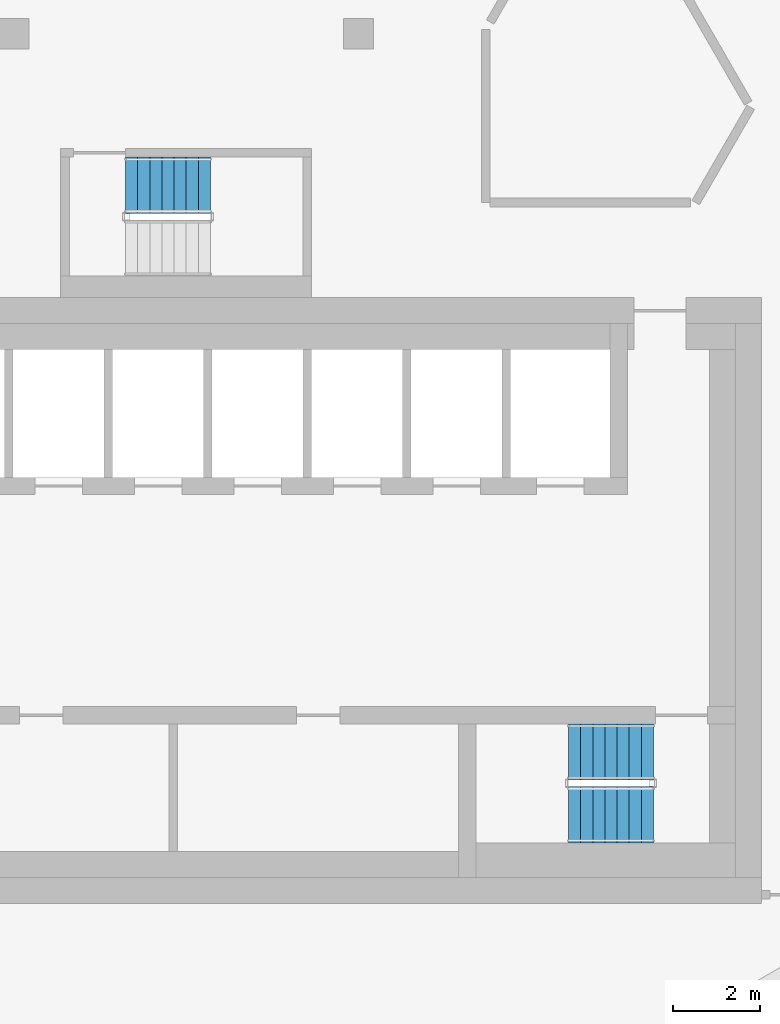
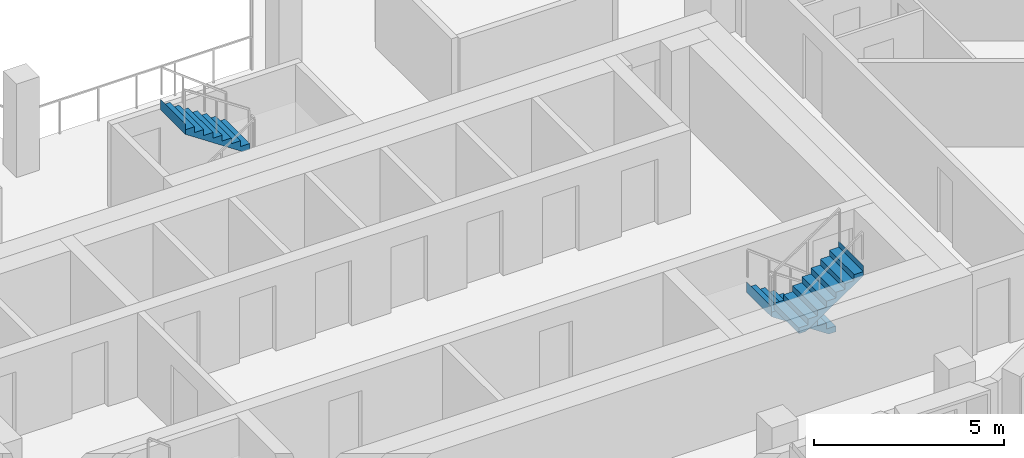
# One storey, part 13 of 18: 3 stair flights, 2 elements without a shape of their own.
"""IFC4 building model written with IfcOpenShell, lengths in metres."""

from ifc_helpers import new_model, si_unit, direction, frame, origin, place, context, subcontext, project, spatial, triangles, material, type_object, element, aggregate, save


model = new_model("IFC4")

# Units and contexts
model_context = context("Model", 3, precision=1e-05, world=origin(), true_north=direction((0.0, 1.0)))
body_context = subcontext(model_context, "Body", "Model", "MODEL_VIEW")
ifc_project = project(units=[si_unit("LENGTHUNIT", "METRE"), si_unit("AREAUNIT", "SQUARE_METRE"), si_unit("VOLUMEUNIT", "CUBIC_METRE"), si_unit("PLANEANGLEUNIT", "RADIAN"), si_unit("MASSUNIT", "GRAM", prefix="KILO")], contexts=[model_context])

# Site, building, storey
site_placement = place(None, origin())
site = spatial("IfcSite", under=ifc_project, at=site_placement, CompositionType="ELEMENT")
building_placement = place(site_placement, origin())
building = spatial("IfcBuilding", under=site, at=building_placement, Name="Beryl Residences", CompositionType="ELEMENT")
storey_placement = place(building_placement, frame((0.0, 0.0, 184.199951171875)))
storey = spatial("IfcBuildingStorey", under=building, at=storey_placement, Name="L56", CompositionType="ELEMENT", Elevation=184.199951171875)

# Stair, stair flights
ifc_material_1 = material(Name="Concrete C40/50", Category="concrete")
stair_type = type_object("IfcStairType", Name="ST1 protected exit stair, half-turn, 1300 mm flights", PredefinedType="HALF_TURN_STAIR", material=ifc_material_1)
stair_1_placement = place(storey_placement, origin())
stair_1 = element("IfcStair", 1, at=stair_1_placement, inside=storey, type_object=stair_type, Name="L56 PROTECTED EXIT STAIR ST-3", PredefinedType="HALF_TURN_STAIR")
ifc_material_2 = material(Name="Concrete C40/50", Category="concrete")
stair_flight_type = type_object("IfcStairFlightType", Name="SF1 stair flight 1300 mm", PredefinedType="STRAIGHT", material=ifc_material_2)
stair_flight_1_placement = place(storey_placement, frame((10.800048828125, -15.5, 0.0), z_axis=(0.0, 0.0, 1.0), x_axis=(-1.0, 0.0, 0.0)))
stair_flight_1 = element("IfcStairFlight", 2, at=stair_flight_1_placement, type_object=stair_flight_type, Name="ST-3 flight 1", NumberOfRisers=8, NumberOfTreads=7, PredefinedType="STRAIGHT", RiserHeight=0.1875, TreadLength=0.28, context=body_context, shape_type="Tessellation", body=[
    triangles([(0.0, -0.64990234375, 0.0), (0.0, -0.324951171875, 0.0), (0.0, 0.0, 0.0), (0.0, 0.324951171875, 0.0), (0.0, 0.64990234375, 0.0), (0.0, -0.64990234375, 0.1875), (0.0, -0.324951171875, 0.1875), (0.0, 0.0, 0.1875), (0.0, 0.324951171875, 0.1875), (0.0, 0.64990234375, 0.1875), (0.280029296875, -0.64990234375, 0.1875), (0.280029296875, -0.324951171875, 0.1875), (0.280029296875, 0.0, 0.1875), (0.280029296875, 0.324951171875, 0.1875), (0.280029296875, 0.64990234375, 0.1875), (0.280029296875, -0.64990234375, 0.375), (0.280029296875, -0.324951171875, 0.375), (0.280029296875, 0.0, 0.375), (0.280029296875, 0.324951171875, 0.375), (0.280029296875, 0.64990234375, 0.375), (0.56005859375, -0.64990234375, 0.375), (0.56005859375, -0.324951171875, 0.375), (0.56005859375, 0.0, 0.375), (0.56005859375, 0.324951171875, 0.375), (0.56005859375, 0.64990234375, 0.375), (0.56005859375, -0.64990234375, 0.5625), (0.56005859375, -0.324951171875, 0.5625), (0.56005859375, 0.0, 0.5625), (0.56005859375, 0.324951171875, 0.5625), (0.56005859375, 0.64990234375, 0.5625), (0.840087890625, -0.64990234375, 0.5625), (0.840087890625, -0.324951171875, 0.5625), (0.840087890625, 0.0, 0.5625), (0.840087890625, 0.324951171875, 0.5625), (0.840087890625, 0.64990234375, 0.5625), (0.840087890625, -0.64990234375, 0.75), (0.840087890625, -0.324951171875, 0.75), (0.840087890625, 0.0, 0.75), (0.840087890625, 0.324951171875, 0.75), (0.840087890625, 0.64990234375, 0.75), (1.1201171875, -0.64990234375, 0.75), (1.1201171875, -0.324951171875, 0.75), (1.1201171875, 0.0, 0.75), (1.1201171875, 0.324951171875, 0.75), (1.1201171875, 0.64990234375, 0.75), (1.1201171875, -0.64990234375, 0.9375), (1.1201171875, -0.324951171875, 0.9375), (1.1201171875, 0.0, 0.9375), (1.1201171875, 0.324951171875, 0.9375), (1.1201171875, 0.64990234375, 0.9375), (1.39990234375, -0.64990234375, 0.9375), (1.39990234375, -0.324951171875, 0.9375), (1.39990234375, 0.0, 0.9375), (1.39990234375, 0.324951171875, 0.9375), (1.39990234375, 0.64990234375, 0.9375), (1.39990234375, -0.64990234375, 1.125), (1.39990234375, -0.324951171875, 1.125), (1.39990234375, 0.0, 1.125), (1.39990234375, 0.324951171875, 1.125), (1.39990234375, 0.64990234375, 1.125), (1.679931640625, -0.64990234375, 1.125), (1.679931640625, -0.324951171875, 1.125), (1.679931640625, 0.0, 1.125), (1.679931640625, 0.324951171875, 1.125), (1.679931640625, 0.64990234375, 1.125), (1.679931640625, -0.64990234375, 1.3125), (1.679931640625, -0.324951171875, 1.3125), (1.679931640625, 0.0, 1.3125), (1.679931640625, 0.324951171875, 1.3125), (1.679931640625, 0.64990234375, 1.3125), (1.9599609375, -0.64990234375, 1.3125), (1.9599609375, -0.324951171875, 1.3125), (1.9599609375, 0.0, 1.3125), (1.9599609375, 0.324951171875, 1.3125), (1.9599609375, 0.64990234375, 1.3125), (1.9599609375, -0.64990234375, 1.5), (1.9599609375, -0.324951171875, 1.5), (1.9599609375, 0.0, 1.5), (1.9599609375, 0.324951171875, 1.5), (1.9599609375, 0.64990234375, 1.5), (1.9609375, -0.64990234375, 1.5), (1.9609375, -0.324951171875, 1.5), (1.9609375, 0.0, 1.5), (1.9609375, 0.324951171875, 1.5), (1.9609375, 0.64990234375, 1.5), (1.9609375, -0.64990234375, 1.16796875), (1.9609375, -0.324951171875, 1.16796875), (1.9609375, 0.0, 1.16796875), (1.9609375, 0.324951171875, 1.16796875), (1.9609375, 0.64990234375, 1.16796875), (0.216796875, -0.64990234375, 0.0), (0.216796875, -0.324951171875, 0.0), (0.216796875, 0.0, 0.0), (0.216796875, 0.324951171875, 0.0), (0.216796875, 0.64990234375, 0.0)], [[1, 6, 7], [1, 7, 2], [2, 7, 8], [2, 8, 3], [3, 8, 9], [3, 9, 4], [4, 9, 10], [4, 10, 5], [6, 11, 12], [6, 12, 7], [7, 12, 13], [7, 13, 8], [8, 13, 14], [8, 14, 9], [9, 14, 15], [9, 15, 10], [11, 16, 17], [11, 17, 12], [12, 17, 18], [12, 18, 13], [13, 18, 19], [13, 19, 14], [14, 19, 20], [14, 20, 15], [16, 21, 22], [16, 22, 17], [17, 22, 23], [17, 23, 18], [18, 23, 24], [18, 24, 19], [19, 24, 25], [19, 25, 20], [21, 26, 27], [21, 27, 22], [22, 27, 28], [22, 28, 23], [23, 28, 29], [23, 29, 24], [24, 29, 30], [24, 30, 25], [26, 31, 32], [26, 32, 27], [27, 32, 33], [27, 33, 28], [28, 33, 34], [28, 34, 29], [29, 34, 35], [29, 35, 30], [31, 36, 37], [31, 37, 32], [32, 37, 38], [32, 38, 33], [33, 38, 39], [33, 39, 34], [34, 39, 40], [34, 40, 35], [36, 41, 42], [36, 42, 37], [37, 42, 43], [37, 43, 38], [38, 43, 44], [38, 44, 39], [39, 44, 45], [39, 45, 40], [41, 46, 47], [41, 47, 42], [42, 47, 48], [42, 48, 43], [43, 48, 49], [43, 49, 44], [44, 49, 50], [44, 50, 45], [46, 51, 52], [46, 52, 47], [47, 52, 53], [47, 53, 48], [48, 53, 54], [48, 54, 49], [49, 54, 55], [49, 55, 50], [51, 56, 57], [51, 57, 52], [52, 57, 58], [52, 58, 53], [53, 58, 59], [53, 59, 54], [54, 59, 60], [54, 60, 55], [56, 61, 62], [56, 62, 57], [57, 62, 63], [57, 63, 58], [58, 63, 64], [58, 64, 59], [59, 64, 65], [59, 65, 60], [61, 66, 67], [61, 67, 62], [62, 67, 68], [62, 68, 63], [63, 68, 69], [63, 69, 64], [64, 69, 70], [64, 70, 65], [66, 71, 72], [66, 72, 67], [67, 72, 73], [67, 73, 68], [68, 73, 74], [68, 74, 69], [69, 74, 75], [69, 75, 70], [71, 76, 77], [71, 77, 72], [72, 77, 78], [72, 78, 73], [73, 78, 79], [73, 79, 74], [74, 79, 80], [74, 80, 75], [76, 81, 82], [76, 82, 77], [77, 82, 83], [77, 83, 78], [78, 83, 84], [78, 84, 79], [79, 84, 85], [79, 85, 80], [81, 86, 87], [81, 87, 82], [82, 87, 88], [82, 88, 83], [83, 88, 89], [83, 89, 84], [84, 89, 90], [84, 90, 85], [86, 91, 92], [86, 92, 87], [87, 92, 93], [87, 93, 88], [88, 93, 94], [88, 94, 89], [89, 94, 95], [89, 95, 90], [91, 1, 2], [91, 2, 92], [92, 2, 3], [92, 3, 93], [93, 3, 4], [93, 4, 94], [94, 4, 5], [94, 5, 95], [1, 91, 86], [5, 90, 95], [86, 81, 76], [90, 80, 85], [86, 76, 71], [90, 75, 80], [86, 71, 66], [90, 70, 75], [86, 66, 61], [90, 65, 70], [61, 56, 51], [65, 55, 60], [86, 61, 51], [90, 55, 65], [51, 46, 41], [55, 45, 50], [86, 51, 41], [90, 45, 55], [41, 36, 31], [45, 35, 40], [86, 41, 31], [90, 35, 45], [31, 26, 21], [35, 25, 30], [86, 31, 21], [90, 25, 35], [21, 16, 11], [25, 15, 20], [86, 21, 11], [90, 15, 25], [1, 86, 11], [5, 15, 90], [11, 6, 1], [15, 5, 10]], closed=True),
])
stair_flight_2_placement = place(storey_placement, frame((8.840087890625, -16.949951171875, 1.5), z_axis=(0.0, 0.0, 1.0), x_axis=(1.0, 0.0, 0.0)))
stair_flight_2 = element("IfcStairFlight", 3, at=stair_flight_2_placement, type_object=stair_flight_type, Name="ST-3 flight 2", NumberOfRisers=8, NumberOfTreads=7, PredefinedType="STRAIGHT", RiserHeight=0.1875, TreadLength=0.28, context=body_context, shape_type="Tessellation", body=[
    triangles([(0.0, -0.64990234375, 0.0), (0.0, -0.324951171875, 0.0), (0.0, 0.0, 0.0), (0.0, 0.324951171875, 0.0), (0.0, 0.64990234375, 0.0), (0.0, -0.64990234375, 0.1875), (0.0, -0.324951171875, 0.1875), (0.0, 0.0, 0.1875), (0.0, 0.324951171875, 0.1875), (0.0, 0.64990234375, 0.1875), (0.280029296875, -0.64990234375, 0.1875), (0.280029296875, -0.324951171875, 0.1875), (0.280029296875, 0.0, 0.1875), (0.280029296875, 0.324951171875, 0.1875), (0.280029296875, 0.64990234375, 0.1875), (0.280029296875, -0.64990234375, 0.375), (0.280029296875, -0.324951171875, 0.375), (0.280029296875, 0.0, 0.375), (0.280029296875, 0.324951171875, 0.375), (0.280029296875, 0.64990234375, 0.375), (0.56005859375, -0.64990234375, 0.375), (0.56005859375, -0.324951171875, 0.375), (0.56005859375, 0.0, 0.375), (0.56005859375, 0.324951171875, 0.375), (0.56005859375, 0.64990234375, 0.375), (0.56005859375, -0.64990234375, 0.5625), (0.56005859375, -0.324951171875, 0.5625), (0.56005859375, 0.0, 0.5625), (0.56005859375, 0.324951171875, 0.5625), (0.56005859375, 0.64990234375, 0.5625), (0.840087890625, -0.64990234375, 0.5625), (0.840087890625, -0.324951171875, 0.5625), (0.840087890625, 0.0, 0.5625), (0.840087890625, 0.324951171875, 0.5625), (0.840087890625, 0.64990234375, 0.5625), (0.840087890625, -0.64990234375, 0.75), (0.840087890625, -0.324951171875, 0.75), (0.840087890625, 0.0, 0.75), (0.840087890625, 0.324951171875, 0.75), (0.840087890625, 0.64990234375, 0.75), (1.1201171875, -0.64990234375, 0.75), (1.1201171875, -0.324951171875, 0.75), (1.1201171875, 0.0, 0.75), (1.1201171875, 0.324951171875, 0.75), (1.1201171875, 0.64990234375, 0.75), (1.1201171875, -0.64990234375, 0.9375), (1.1201171875, -0.324951171875, 0.9375), (1.1201171875, 0.0, 0.9375), (1.1201171875, 0.324951171875, 0.9375), (1.1201171875, 0.64990234375, 0.9375), (1.39990234375, -0.64990234375, 0.9375), (1.39990234375, -0.324951171875, 0.9375), (1.39990234375, 0.0, 0.9375), (1.39990234375, 0.324951171875, 0.9375), (1.39990234375, 0.64990234375, 0.9375), (1.39990234375, -0.64990234375, 1.125), (1.39990234375, -0.324951171875, 1.125), (1.39990234375, 0.0, 1.125), (1.39990234375, 0.324951171875, 1.125), (1.39990234375, 0.64990234375, 1.125), (1.679931640625, -0.64990234375, 1.125), (1.679931640625, -0.324951171875, 1.125), (1.679931640625, 0.0, 1.125), (1.679931640625, 0.324951171875, 1.125), (1.679931640625, 0.64990234375, 1.125), (1.679931640625, -0.64990234375, 1.3125), (1.679931640625, -0.324951171875, 1.3125), (1.679931640625, 0.0, 1.3125), (1.679931640625, 0.324951171875, 1.3125), (1.679931640625, 0.64990234375, 1.3125), (1.9599609375, -0.64990234375, 1.3125), (1.9599609375, -0.324951171875, 1.3125), (1.9599609375, 0.0, 1.3125), (1.9599609375, 0.324951171875, 1.3125), (1.9599609375, 0.64990234375, 1.3125), (1.9599609375, -0.64990234375, 1.5), (1.9599609375, -0.324951171875, 1.5), (1.9599609375, 0.0, 1.5), (1.9599609375, 0.324951171875, 1.5), (1.9599609375, 0.64990234375, 1.5), (1.9609375, -0.64990234375, 1.5), (1.9609375, -0.324951171875, 1.5), (1.9609375, 0.0, 1.5), (1.9609375, 0.324951171875, 1.5), (1.9609375, 0.64990234375, 1.5), (1.9609375, -0.64990234375, 1.16796875), (1.9609375, -0.324951171875, 1.16796875), (1.9609375, 0.0, 1.16796875), (1.9609375, 0.324951171875, 1.16796875), (1.9609375, 0.64990234375, 1.16796875), (0.216796875, -0.64990234375, 0.0), (0.216796875, -0.324951171875, 0.0), (0.216796875, 0.0, 0.0), (0.216796875, 0.324951171875, 0.0), (0.216796875, 0.64990234375, 0.0)], [[1, 6, 7], [1, 7, 2], [2, 7, 8], [2, 8, 3], [3, 8, 9], [3, 9, 4], [4, 9, 10], [4, 10, 5], [6, 11, 12], [6, 12, 7], [7, 12, 13], [7, 13, 8], [8, 13, 14], [8, 14, 9], [9, 14, 15], [9, 15, 10], [11, 16, 17], [11, 17, 12], [12, 17, 18], [12, 18, 13], [13, 18, 19], [13, 19, 14], [14, 19, 20], [14, 20, 15], [16, 21, 22], [16, 22, 17], [17, 22, 23], [17, 23, 18], [18, 23, 24], [18, 24, 19], [19, 24, 25], [19, 25, 20], [21, 26, 27], [21, 27, 22], [22, 27, 28], [22, 28, 23], [23, 28, 29], [23, 29, 24], [24, 29, 30], [24, 30, 25], [26, 31, 32], [26, 32, 27], [27, 32, 33], [27, 33, 28], [28, 33, 34], [28, 34, 29], [29, 34, 35], [29, 35, 30], [31, 36, 37], [31, 37, 32], [32, 37, 38], [32, 38, 33], [33, 38, 39], [33, 39, 34], [34, 39, 40], [34, 40, 35], [36, 41, 42], [36, 42, 37], [37, 42, 43], [37, 43, 38], [38, 43, 44], [38, 44, 39], [39, 44, 45], [39, 45, 40], [41, 46, 47], [41, 47, 42], [42, 47, 48], [42, 48, 43], [43, 48, 49], [43, 49, 44], [44, 49, 50], [44, 50, 45], [46, 51, 52], [46, 52, 47], [47, 52, 53], [47, 53, 48], [48, 53, 54], [48, 54, 49], [49, 54, 55], [49, 55, 50], [51, 56, 57], [51, 57, 52], [52, 57, 58], [52, 58, 53], [53, 58, 59], [53, 59, 54], [54, 59, 60], [54, 60, 55], [56, 61, 62], [56, 62, 57], [57, 62, 63], [57, 63, 58], [58, 63, 64], [58, 64, 59], [59, 64, 65], [59, 65, 60], [61, 66, 67], [61, 67, 62], [62, 67, 68], [62, 68, 63], [63, 68, 69], [63, 69, 64], [64, 69, 70], [64, 70, 65], [66, 71, 72], [66, 72, 67], [67, 72, 73], [67, 73, 68], [68, 73, 74], [68, 74, 69], [69, 74, 75], [69, 75, 70], [71, 76, 77], [71, 77, 72], [72, 77, 78], [72, 78, 73], [73, 78, 79], [73, 79, 74], [74, 79, 80], [74, 80, 75], [76, 81, 82], [76, 82, 77], [77, 82, 83], [77, 83, 78], [78, 83, 84], [78, 84, 79], [79, 84, 85], [79, 85, 80], [81, 86, 87], [81, 87, 82], [82, 87, 88], [82, 88, 83], [83, 88, 89], [83, 89, 84], [84, 89, 90], [84, 90, 85], [86, 91, 92], [86, 92, 87], [87, 92, 93], [87, 93, 88], [88, 93, 94], [88, 94, 89], [89, 94, 95], [89, 95, 90], [91, 1, 2], [91, 2, 92], [92, 2, 3], [92, 3, 93], [93, 3, 4], [93, 4, 94], [94, 4, 5], [94, 5, 95], [1, 91, 86], [5, 90, 95], [86, 81, 76], [90, 80, 85], [86, 76, 71], [90, 75, 80], [86, 71, 66], [90, 70, 75], [86, 66, 61], [90, 65, 70], [61, 56, 51], [65, 55, 60], [86, 61, 51], [90, 55, 65], [51, 46, 41], [55, 45, 50], [86, 51, 41], [90, 45, 55], [41, 36, 31], [45, 35, 40], [86, 41, 31], [90, 35, 45], [31, 26, 21], [35, 25, 30], [86, 31, 21], [90, 25, 35], [21, 16, 11], [25, 15, 20], [86, 21, 11], [90, 15, 25], [1, 86, 11], [5, 15, 90], [11, 6, 1], [15, 5, 10]], closed=True),
])
aggregate(stair_1, [stair_flight_1, stair_flight_2])

# Stair, stair flight
stair_2_placement = place(storey_placement, origin())
stair_2 = element("IfcStair", 4, at=stair_2_placement, inside=storey, type_object=stair_type, Name="L56 PROTECTED EXIT STAIR ST-4", PredefinedType="HALF_TURN_STAIR")
stair_flight_3_placement = place(storey_placement, frame((0.56005859375, -2.39990234375, 1.5), z_axis=(0.0, 0.0, 1.0), x_axis=(-1.0, 0.0, 0.0)))
stair_flight_3 = element("IfcStairFlight", 5, at=stair_flight_3_placement, type_object=stair_flight_type, Name="ST-4 flight 2", NumberOfRisers=8, NumberOfTreads=7, PredefinedType="STRAIGHT", RiserHeight=0.1875, TreadLength=0.28, context=body_context, shape_type="Tessellation", body=[
    triangles([(0.0, -0.64990234375, 0.0), (0.0, -0.324951171875, 0.0), (0.0, 0.0, 0.0), (0.0, 0.324951171875, 0.0), (0.0, 0.64990234375, 0.0), (0.0, -0.64990234375, 0.1875), (0.0, -0.324951171875, 0.1875), (0.0, 0.0, 0.1875), (0.0, 0.324951171875, 0.1875), (0.0, 0.64990234375, 0.1875), (0.280029296875, -0.64990234375, 0.1875), (0.280029296875, -0.324951171875, 0.1875), (0.280029296875, 0.0, 0.1875), (0.280029296875, 0.324951171875, 0.1875), (0.280029296875, 0.64990234375, 0.1875), (0.280029296875, -0.64990234375, 0.375), (0.280029296875, -0.324951171875, 0.375), (0.280029296875, 0.0, 0.375), (0.280029296875, 0.324951171875, 0.375), (0.280029296875, 0.64990234375, 0.375), (0.56005859375, -0.64990234375, 0.375), (0.56005859375, -0.324951171875, 0.375), (0.56005859375, 0.0, 0.375), (0.56005859375, 0.324951171875, 0.375), (0.56005859375, 0.64990234375, 0.375), (0.56005859375, -0.64990234375, 0.5625), (0.56005859375, -0.324951171875, 0.5625), (0.56005859375, 0.0, 0.5625), (0.56005859375, 0.324951171875, 0.5625), (0.56005859375, 0.64990234375, 0.5625), (0.840087890625, -0.64990234375, 0.5625), (0.840087890625, -0.324951171875, 0.5625), (0.840087890625, 0.0, 0.5625), (0.840087890625, 0.324951171875, 0.5625), (0.840087890625, 0.64990234375, 0.5625), (0.840087890625, -0.64990234375, 0.75), (0.840087890625, -0.324951171875, 0.75), (0.840087890625, 0.0, 0.75), (0.840087890625, 0.324951171875, 0.75), (0.840087890625, 0.64990234375, 0.75), (1.1201171875, -0.64990234375, 0.75), (1.1201171875, -0.324951171875, 0.75), (1.1201171875, 0.0, 0.75), (1.1201171875, 0.324951171875, 0.75), (1.1201171875, 0.64990234375, 0.75), (1.1201171875, -0.64990234375, 0.9375), (1.1201171875, -0.324951171875, 0.9375), (1.1201171875, 0.0, 0.9375), (1.1201171875, 0.324951171875, 0.9375), (1.1201171875, 0.64990234375, 0.9375), (1.39990234375, -0.64990234375, 0.9375), (1.39990234375, -0.324951171875, 0.9375), (1.39990234375, 0.0, 0.9375), (1.39990234375, 0.324951171875, 0.9375), (1.39990234375, 0.64990234375, 0.9375), (1.39990234375, -0.64990234375, 1.125), (1.39990234375, -0.324951171875, 1.125), (1.39990234375, 0.0, 1.125), (1.39990234375, 0.324951171875, 1.125), (1.39990234375, 0.64990234375, 1.125), (1.679931640625, -0.64990234375, 1.125), (1.679931640625, -0.324951171875, 1.125), (1.679931640625, 0.0, 1.125), (1.679931640625, 0.324951171875, 1.125), (1.679931640625, 0.64990234375, 1.125), (1.679931640625, -0.64990234375, 1.3125), (1.679931640625, -0.324951171875, 1.3125), (1.679931640625, 0.0, 1.3125), (1.679931640625, 0.324951171875, 1.3125), (1.679931640625, 0.64990234375, 1.3125), (1.9599609375, -0.64990234375, 1.3125), (1.9599609375, -0.324951171875, 1.3125), (1.9599609375, 0.0, 1.3125), (1.9599609375, 0.324951171875, 1.3125), (1.9599609375, 0.64990234375, 1.3125), (1.9599609375, -0.64990234375, 1.5), (1.9599609375, -0.324951171875, 1.5), (1.9599609375, 0.0, 1.5), (1.9599609375, 0.324951171875, 1.5), (1.9599609375, 0.64990234375, 1.5), (1.9609375, -0.64990234375, 1.5), (1.9609375, -0.324951171875, 1.5), (1.9609375, 0.0, 1.5), (1.9609375, 0.324951171875, 1.5), (1.9609375, 0.64990234375, 1.5), (1.9609375, -0.64990234375, 1.16796875), (1.9609375, -0.324951171875, 1.16796875), (1.9609375, 0.0, 1.16796875), (1.9609375, 0.324951171875, 1.16796875), (1.9609375, 0.64990234375, 1.16796875), (0.216796875, -0.64990234375, 0.0), (0.216796875, -0.324951171875, 0.0), (0.216796875, 0.0, 0.0), (0.216796875, 0.324951171875, 0.0), (0.216796875, 0.64990234375, 0.0)], [[1, 6, 7], [1, 7, 2], [2, 7, 8], [2, 8, 3], [3, 8, 9], [3, 9, 4], [4, 9, 10], [4, 10, 5], [6, 11, 12], [6, 12, 7], [7, 12, 13], [7, 13, 8], [8, 13, 14], [8, 14, 9], [9, 14, 15], [9, 15, 10], [11, 16, 17], [11, 17, 12], [12, 17, 18], [12, 18, 13], [13, 18, 19], [13, 19, 14], [14, 19, 20], [14, 20, 15], [16, 21, 22], [16, 22, 17], [17, 22, 23], [17, 23, 18], [18, 23, 24], [18, 24, 19], [19, 24, 25], [19, 25, 20], [21, 26, 27], [21, 27, 22], [22, 27, 28], [22, 28, 23], [23, 28, 29], [23, 29, 24], [24, 29, 30], [24, 30, 25], [26, 31, 32], [26, 32, 27], [27, 32, 33], [27, 33, 28], [28, 33, 34], [28, 34, 29], [29, 34, 35], [29, 35, 30], [31, 36, 37], [31, 37, 32], [32, 37, 38], [32, 38, 33], [33, 38, 39], [33, 39, 34], [34, 39, 40], [34, 40, 35], [36, 41, 42], [36, 42, 37], [37, 42, 43], [37, 43, 38], [38, 43, 44], [38, 44, 39], [39, 44, 45], [39, 45, 40], [41, 46, 47], [41, 47, 42], [42, 47, 48], [42, 48, 43], [43, 48, 49], [43, 49, 44], [44, 49, 50], [44, 50, 45], [46, 51, 52], [46, 52, 47], [47, 52, 53], [47, 53, 48], [48, 53, 54], [48, 54, 49], [49, 54, 55], [49, 55, 50], [51, 56, 57], [51, 57, 52], [52, 57, 58], [52, 58, 53], [53, 58, 59], [53, 59, 54], [54, 59, 60], [54, 60, 55], [56, 61, 62], [56, 62, 57], [57, 62, 63], [57, 63, 58], [58, 63, 64], [58, 64, 59], [59, 64, 65], [59, 65, 60], [61, 66, 67], [61, 67, 62], [62, 67, 68], [62, 68, 63], [63, 68, 69], [63, 69, 64], [64, 69, 70], [64, 70, 65], [66, 71, 72], [66, 72, 67], [67, 72, 73], [67, 73, 68], [68, 73, 74], [68, 74, 69], [69, 74, 75], [69, 75, 70], [71, 76, 77], [71, 77, 72], [72, 77, 78], [72, 78, 73], [73, 78, 79], [73, 79, 74], [74, 79, 80], [74, 80, 75], [76, 81, 82], [76, 82, 77], [77, 82, 83], [77, 83, 78], [78, 83, 84], [78, 84, 79], [79, 84, 85], [79, 85, 80], [81, 86, 87], [81, 87, 82], [82, 87, 88], [82, 88, 83], [83, 88, 89], [83, 89, 84], [84, 89, 90], [84, 90, 85], [86, 91, 92], [86, 92, 87], [87, 92, 93], [87, 93, 88], [88, 93, 94], [88, 94, 89], [89, 94, 95], [89, 95, 90], [91, 1, 2], [91, 2, 92], [92, 2, 3], [92, 3, 93], [93, 3, 4], [93, 4, 94], [94, 4, 5], [94, 5, 95], [1, 91, 86], [5, 90, 95], [86, 81, 76], [90, 80, 85], [86, 76, 71], [90, 75, 80], [86, 71, 66], [90, 70, 75], [86, 66, 61], [90, 65, 70], [61, 56, 51], [65, 55, 60], [86, 61, 51], [90, 55, 65], [51, 46, 41], [55, 45, 50], [86, 51, 41], [90, 45, 55], [41, 36, 31], [45, 35, 40], [86, 41, 31], [90, 35, 45], [31, 26, 21], [35, 25, 30], [86, 31, 21], [90, 25, 35], [21, 16, 11], [25, 15, 20], [86, 21, 11], [90, 15, 25], [1, 86, 11], [5, 15, 90], [11, 6, 1], [15, 5, 10]], closed=True),
])
aggregate(stair_2, [stair_flight_3])

save(model, "model.ifc")
